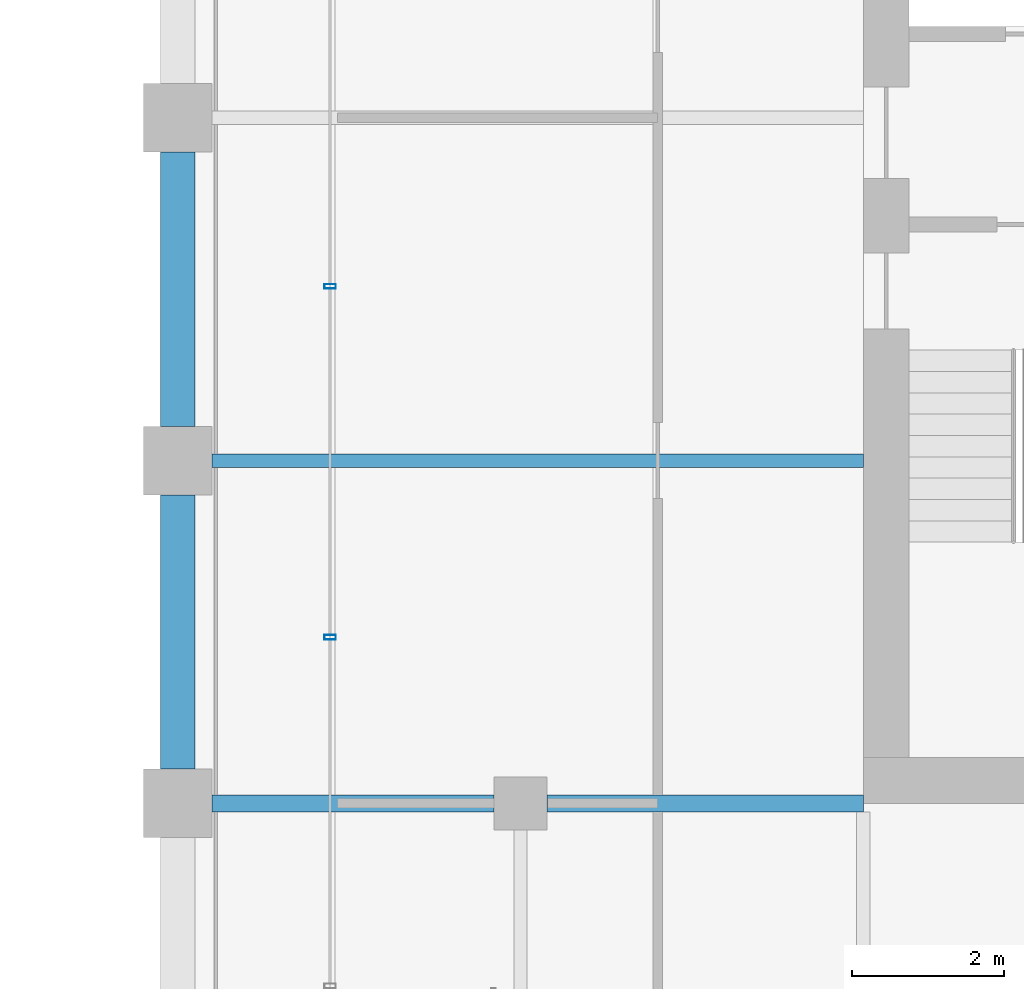
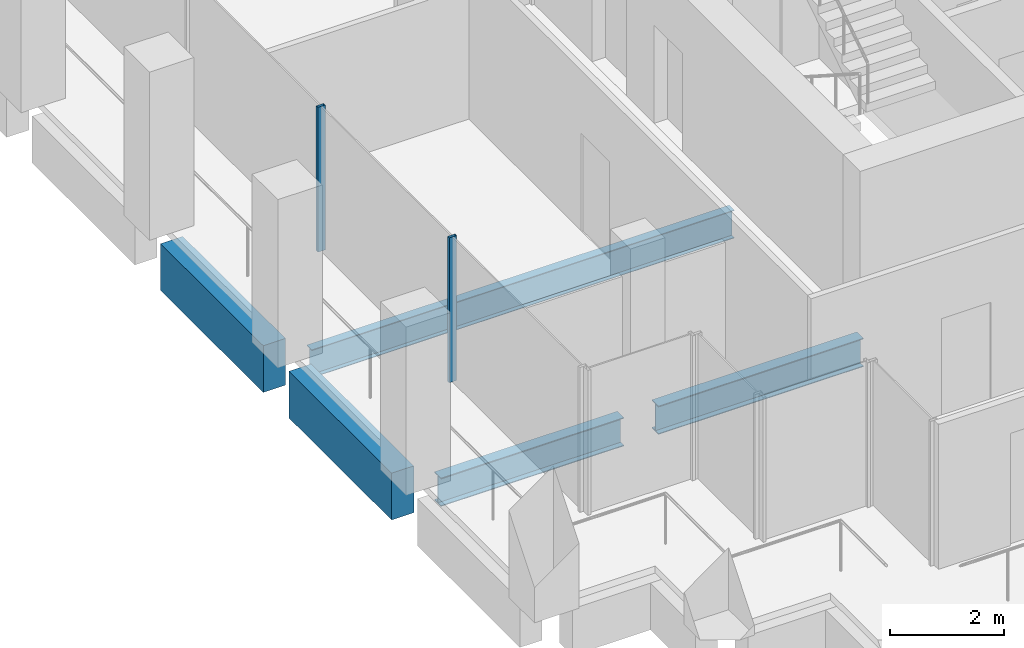
# One storey, part 30 of 40: 5 beams, 2 members, 1 element without a shape of its own.
"""IFC4 building model written with IfcOpenShell, lengths in metres."""

from ifc_helpers import new_model, si_unit, direction, frame, origin, origin_2d, place, context, subcontext, project, spatial, rectangle, hollow_rectangle, i_section, extrude, material, material_profile, profile_set, type_object, element, aggregate, save


model = new_model("IFC4")

# Units and contexts
model_context = context("Model", 3, precision=1e-05, world=origin(), true_north=direction((0.0, 1.0)))
body_context = subcontext(model_context, "Body", "Model", "MODEL_VIEW")
ifc_project = project(units=[si_unit("LENGTHUNIT", "METRE"), si_unit("AREAUNIT", "SQUARE_METRE"), si_unit("VOLUMEUNIT", "CUBIC_METRE"), si_unit("PLANEANGLEUNIT", "RADIAN"), si_unit("MASSUNIT", "GRAM", prefix="KILO")], contexts=[model_context])

# Site, building, storey
site_placement = place(None, origin())
site = spatial("IfcSite", under=ifc_project, at=site_placement, CompositionType="ELEMENT")
building_placement = place(site_placement, origin())
building = spatial("IfcBuilding", under=site, at=building_placement, Name="Altepetl Exchange Towers", CompositionType="ELEMENT")
storey_placement = place(building_placement, frame((0.0, 0.0, 154.60009765625)))
storey = spatial("IfcBuildingStorey", under=building, at=storey_placement, Name="L38", CompositionType="ELEMENT", Elevation=154.60009765625)

# Beams
ifc_material_1 = material(Name="Steel S355", Category="steel")
ifc_material_profile_1 = material_profile(ifc_material_1, i_section(OverallWidth=0.177978515625, OverallDepth=0.59912109375, WebThickness=0.010009765625, FlangeThickness=0.0126953125, at=origin_2d()), Name="W24X55")
ifc_profile_set_1 = profile_set([ifc_material_profile_1], Name="Steel S355")
beam_type_1 = type_object("IfcBeamType", Name="Floor beam W24X55", PredefinedType="BEAM", material=ifc_profile_set_1)
beam_1_placement = place(storey_placement, frame((94.949951171875, 40.5, -0.44970703125), z_axis=(1.0, 0.0, 0.0), x_axis=(0.0, 1.0, 0.0)))
element("IfcBeam", 1, at=beam_1_placement, inside=storey, type_object=beam_type_1, Name="bm:B:L38:004", PredefinedType="BEAM", context=body_context, shape_type="SweptSolid", body=[
    extrude(i_section(OverallWidth=0.177978515625, OverallDepth=0.59912109375, WebThickness=0.010009765625, FlangeThickness=0.0126953125, at=origin_2d()), origin(), (0.0, 0.0, 1.0), 8.550048828125),
])
ifc_material_profile_2 = material_profile(ifc_material_1, i_section(OverallWidth=0.22802734375, OverallDepth=0.60791015625, WebThickness=0.01123046875, FlangeThickness=0.017333984375, at=origin_2d()), Name="W24X76")
ifc_profile_set_2 = profile_set([ifc_material_profile_2], Name="Steel S355")
beam_type_2 = type_object("IfcBeamType", Name="Girder W24X76", PredefinedType="BEAM", material=ifc_profile_set_2)
beam_2_placement = place(storey_placement, frame((103.5, 36.0, -0.4541015625), z_axis=(-1.0, 0.0, 0.0), x_axis=(0.0, -1.0, 0.0)))
element("IfcBeam", 2, at=beam_2_placement, inside=storey, type_object=beam_type_2, Name="gd:B:L38:000", PredefinedType="BEAM", context=body_context, shape_type="SweptSolid", body=[
    extrude(i_section(OverallWidth=0.22802734375, OverallDepth=0.60791015625, WebThickness=0.01123046875, FlangeThickness=0.017333984375, at=origin_2d()), origin(), (0.0, 0.0, 1.0), 4.14990234375),
])
beam_3_placement = place(storey_placement, frame((98.64990234375, 36.0, -0.4541015625), z_axis=(-1.0, 0.0, 0.0), x_axis=(0.0, -1.0, 0.0)))
element("IfcBeam", 3, at=beam_3_placement, inside=storey, type_object=beam_type_2, Name="gd:B:L38:001", PredefinedType="BEAM", context=body_context, shape_type="SweptSolid", body=[
    extrude(i_section(OverallWidth=0.22802734375, OverallDepth=0.60791015625, WebThickness=0.01123046875, FlangeThickness=0.017333984375, at=origin_2d()), origin(), (0.0, 0.0, 1.0), 3.699951171875),
])

# Curtain wall, members
ifc_material_2 = material(Name="Aluminium 6063-T6 glazing", Category="aluminium")
curtain_wall_type = type_object("IfcCurtainWallType", Name="Loggia glazing system", PredefinedType="NOTDEFINED", material=ifc_material_2)
curtain_wall_placement = place(storey_placement, origin())
curtain_wall = element("IfcCurtainWall", 4, at=curtain_wall_placement, inside=storey, type_object=curtain_wall_type, Name="CW1 run", PredefinedType="NOTDEFINED")
ifc_material_3 = material(Name="Aluminium 6063-T6", Category="aluminium")
ifc_material_profile_3 = material_profile(ifc_material_3, hollow_rectangle(XDim=0.06005859375, YDim=0.14990234375, WallThickness=0.0029296875, at=origin_2d()), Name="Mullion 60x150 aluminium")
ifc_profile_set_3 = profile_set([ifc_material_profile_3], Name="Aluminium 6063-T6")
member_type = type_object("IfcMemberType", Name="Mullion 60x150 aluminium", PredefinedType="MULLION", material=ifc_profile_set_3)
member_1_placement = place(storey_placement, frame((96.5, 42.78759765625, 0.0), z_axis=(0.0, 0.0, 1.0), x_axis=(0.0, -1.0, 0.0)))
member_1 = element("IfcMember", 5, at=member_1_placement, type_object=member_type, Name="MU1 mullion", PredefinedType="MULLION", context=body_context, shape_type="SweptSolid", body=[
    extrude(hollow_rectangle(XDim=0.06005859375, YDim=0.14990234375, WallThickness=0.0029296875, at=origin_2d()), origin(), (0.0, 0.0, 1.0), 3.099853515625),
])
member_2_placement = place(storey_placement, frame((96.5, 38.18115234375, 0.0), z_axis=(0.0, 0.0, 1.0), x_axis=(0.0, -1.0, 0.0)))
member_2 = element("IfcMember", 6, at=member_2_placement, type_object=member_type, Name="MU1 mullion", PredefinedType="MULLION", context=body_context, shape_type="SweptSolid", body=[
    extrude(hollow_rectangle(XDim=0.06005859375, YDim=0.14990234375, WallThickness=0.0029296875, at=origin_2d()), origin(), (0.0, 0.0, 1.0), 3.099853515625),
])
aggregate(curtain_wall, [member_1, member_2])

# Beams
ifc_material_4 = material(Name="Concrete C50/60 precast with cantera rosa facing", Category="concrete")
ifc_material_profile_4 = material_profile(ifc_material_4, rectangle(XDim=0.449951171875, YDim=1.0, at=origin_2d()), Name="450 x 1000")
ifc_profile_set_4 = profile_set([ifc_material_profile_4], Name="Concrete C50/60 precast with cantera rosa facing")
beam_type_3 = type_object("IfcBeamType", Name="Spandrel beam 450x1000 cantera rosa", PredefinedType="SPANDREL", material=ifc_profile_set_4)
for number, where, z_axis, x_axis, name in (
    (7, (94.5, 44.550048828125, -0.650146484375), (0.0, -1.0, 0.0), (1.0, 0.0, 0.0), "sp:B:L38:017"),
    (8, (94.5, 40.050048828125, -0.650146484375), (0.0, -1.0, 0.0), (1.0, 0.0, 0.0), "sp:B:L38:018"),
):
    element("IfcBeam", number, at=place(storey_placement, frame(where, z_axis=z_axis, x_axis=x_axis)), inside=storey, type_object=beam_type_3, Name=name, PredefinedType="SPANDREL", context=body_context, shape_type="SweptSolid", body=[
        extrude(rectangle(XDim=0.449951171875, YDim=1.0, at=origin_2d()), origin(), (0.0, 0.0, 1.0), 3.60009765625),
    ])

save(model, "model.ifc")
